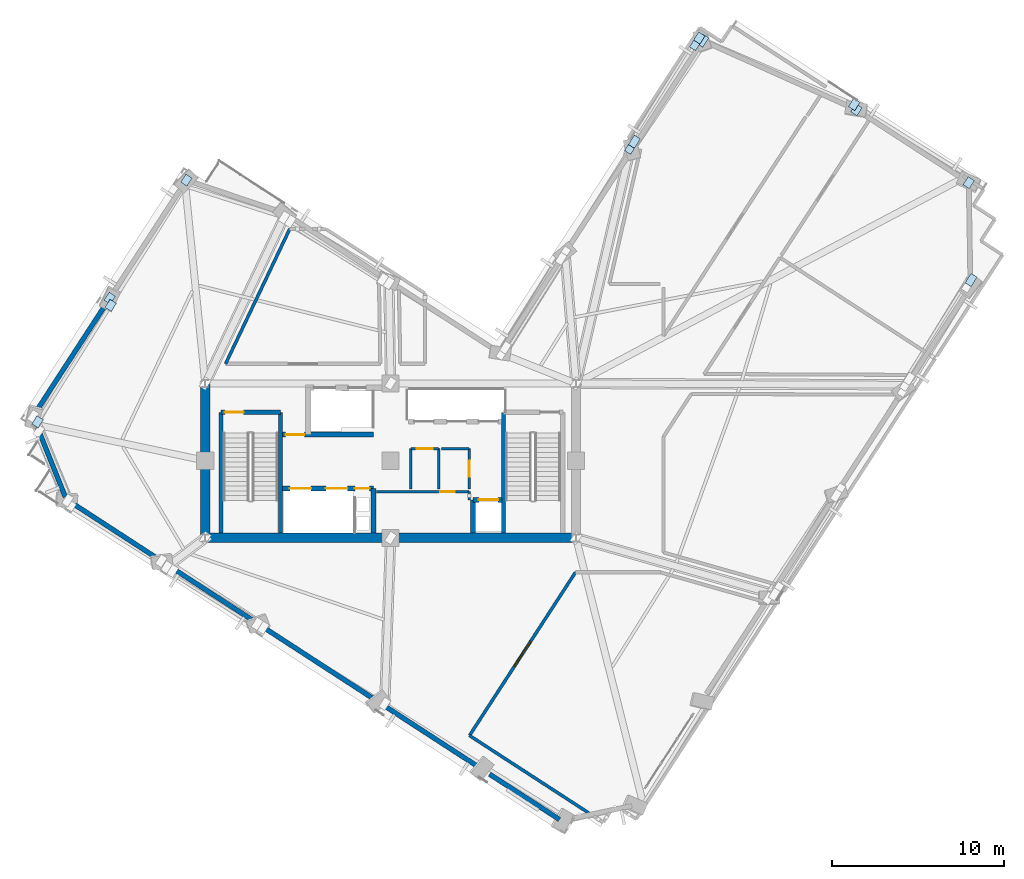
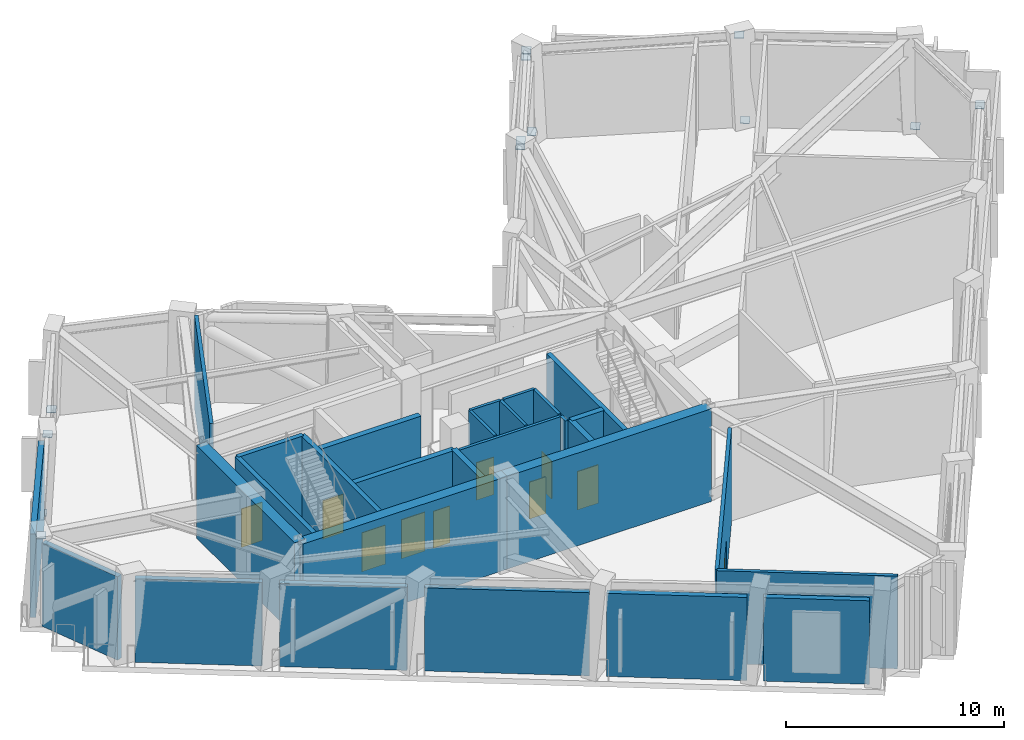
# One storey, part 4 of 11: 29 walls, 13 plates, 10 doors, 10 openings.
"""IFC4 building model written with IfcOpenShell, lengths in metres."""

from ifc_helpers import new_model, si_unit, direction, frame, frame_2d, origin, origin_2d, place, context, subcontext, project, spatial, rectangle, extrude, material, layer, layer_set, type_object, element, fill, save


model = new_model("IFC4")

# Units and contexts
model_context = context("Model", 3, precision=1e-05, world=origin(), true_north=direction((0.0, 1.0)))
body_context = subcontext(model_context, "Body", "Model", "MODEL_VIEW")
ifc_project = project(units=[si_unit("LENGTHUNIT", "METRE"), si_unit("AREAUNIT", "SQUARE_METRE"), si_unit("VOLUMEUNIT", "CUBIC_METRE"), si_unit("PLANEANGLEUNIT", "RADIAN"), si_unit("MASSUNIT", "GRAM", prefix="KILO")], contexts=[model_context])

# Site, building, storey
site_placement = place(None, origin())
site = spatial("IfcSite", under=ifc_project, at=site_placement, CompositionType="ELEMENT")
building_placement = place(site_placement, origin())
building = spatial("IfcBuilding", under=site, at=building_placement, Name="Gaonmaruhae Medical Tower", CompositionType="ELEMENT")
storey_placement = place(building_placement, frame((0.0, 0.0, 267.199951171875)))
storey = spatial("IfcBuildingStorey", under=building, at=storey_placement, Name="L64", CompositionType="ELEMENT", Elevation=267.199951171875)

# Plates
ifc_material_1 = material(Name="Steel HSA650 (650 MPa)", Category="steel")
ifc_layer_1 = layer(ifc_material_1, 0.035888671875)
ifc_layer_set_1 = layer_set([ifc_layer_1], Name="Steel HSA650 (650 MPa)")
plate_type_1 = type_object("IfcPlateType", Name="GP-01 Outrigger Gusset & End Cap Plate", PredefinedType="USERDEFINED", material=ifc_layer_set_1)
for number, where, z_axis, x_axis, name in (
    (1, (38.77734375, 30.525146484375, 4.81201171875), (0.0, 0.0, 1.0), (0.530659123936, 0.847585331506, 0.0), "L64 Gusset Cap Plate PLT-L64-OTD03B"),
    (2, (58.614501953125, 22.82470703125, 4.81201171875), (0.0, 0.0, 1.0), (0.530659123936, 0.847585331506, 0.0), "L64 Gusset Cap Plate PLT-L64-BTD02B"),
    (3, (42.9833984375, 36.7705078125, 0.33203125), (0.0, 0.0, 1.0), (0.544639035015, 0.838670567945, 0.0), "L64 Gusset Cap Plate PLT-L64-BTD03A"),
    (4, (42.560791015625, 36.568603515625, 4.81201171875), (0.0, 0.0, 1.0), (0.530659123936, 0.847585331506, 0.0), "L64 Gusset Cap Plate PLT-L64-BTC03A"),
    (5, (39.000244140625, 30.88134765625, 4.81201171875), (0.0, 0.0, 1.0), (0.530659123936, 0.847585331506, 0.0), "L64 Gusset Cap Plate PLT-L64-BTC03B"),
):
    element("IfcPlate", number, at=place(storey_placement, frame(where, z_axis=z_axis, x_axis=x_axis)), inside=storey, type_object=plate_type_1, Name=name, ObjectType="GUSSET_PLATE", PredefinedType="USERDEFINED", context=body_context, shape_type="SweptSolid", body=[
        extrude(rectangle(XDim=0.64990234375, YDim=0.419921875, at=origin_2d()), origin(), (0.0, 0.0, 1.0), 0.035888671875),
    ])
ifc_layer_2 = layer(ifc_material_1, 0.028076171875)
ifc_layer_set_2 = layer_set([ifc_layer_2], Name="Steel HSA650 (650 MPa)")
plate_type_2 = type_object("IfcPlateType", Name="GP-02 Tube Brace End Cap Gusset Plate", PredefinedType="USERDEFINED", material=ifc_layer_set_2)
for number, where, z_axis, x_axis, name in (
    (6, (58.477294921875, 28.497314453125, 0.23583984375), (0.0, 0.0, 1.0), (0.544639035015, 0.838670567945, 0.0), "L64 Gusset Cap Plate PLT-L64-PBR-E01A"),
    (7, (51.80126953125, 33.048583984375, 4.916015625), (0.0, 0.0, 1.0), (0.530659123936, 0.847585331506, 0.0), "L64 Gusset Cap Plate PLT-L64-PBR-E01B"),
    (8, (8.4375, 21.764892578125, 0.23583984375), (0.0, 0.0, 1.0), (0.544639035015, 0.838670567945, 0.0), "L64 Gusset Cap Plate PLT-L64-PBR-N02A"),
    (9, (4.237060546875, 14.564453125, 4.81005859375), (0.0, 0.0, 1.0), (0.530659123936, 0.847585331506, 0.0), "L64 Gusset Cap Plate PLT-L64-PBR-N02B"),
    (10, (51.935546875, 32.74560546875, 0.2861328125), (0.0, 0.0, 1.0), (0.544639035015, 0.838670567945, 0.0), "L64 Gusset Cap Plate PLT-L64-CST1A"),
    (11, (42.78369140625, 36.924560546875, 4.8662109375), (0.0, 0.0, 1.0), (0.530659123936, 0.847585331506, 0.0), "L64 Gusset Cap Plate PLT-L64-CST1B"),
    (12, (12.903564453125, 28.641845703125, 0.2861328125), (0.0, 0.0, 1.0), (0.544639035015, 0.838670567945, 0.0), "L64 Gusset Cap Plate PLT-L64-CST2A"),
    (13, (8.4912109375, 21.34814453125, 4.8662109375), (0.0, 0.0, 1.0), (0.530659123936, 0.847585331506, 0.0), "L64 Gusset Cap Plate PLT-L64-CST2B"),
):
    element("IfcPlate", number, at=place(storey_placement, frame(where, z_axis=z_axis, x_axis=x_axis)), inside=storey, type_object=plate_type_2, Name=name, ObjectType="GUSSET_PLATE", PredefinedType="USERDEFINED", context=body_context, shape_type="SweptSolid", body=[
        extrude(rectangle(XDim=0.56005859375, YDim=0.43994140625, at=origin_2d()), origin(), (0.0, 0.0, 1.0), 0.028076171875),
    ])

# Walls
ifc_material_2 = material(Name="Concrete C50/60", Category="concrete")
ifc_layer_3 = layer(ifc_material_2, 0.550048828125)
ifc_layer_set_3 = layer_set([ifc_layer_3], Name="Concrete C50/60")
wall_type_1 = type_object("IfcWallType", Name="CW-550 Mid-High Core Shear Wall", PredefinedType="SHEAR", material=ifc_layer_set_3)
for number, where, z_axis, x_axis, name in (
    (14, (14.0, 7.800048828125, 0.0), (0.0, 0.0, 1.0), (1.0, 0.0, 0.0), "L64 Core Shear Wall CSW-S1"),
    (15, (24.800048828125, 7.800048828125, 0.0), (0.0, 0.0, 1.0), (1.0, 0.0, 0.0), "L64 Core Shear Wall CSW-S2"),
):
    element("IfcWall", number, at=place(storey_placement, frame(where, z_axis=z_axis, x_axis=x_axis)), inside=storey, type_object=wall_type_1, Name=name, PredefinedType="SHEAR", context=body_context, shape_type="SweptSolid", body=[
        extrude(rectangle(XDim=10.800048828125, YDim=0.550048828125, at=frame_2d((5.39990234375, 0.0))), origin(), (0.0, 0.0, 1.0), 5.179931640625),
    ])
wall_1_placement = place(storey_placement, frame((14.0, 16.800048828125, 0.0), z_axis=(0.0, 0.0, 1.0), x_axis=(0.0, -1.0, 0.0)))
element("IfcWall", 16, at=wall_1_placement, inside=storey, type_object=wall_type_1, Name="L64 Core Shear Wall CSW-W1", PredefinedType="SHEAR", context=body_context, shape_type="SweptSolid", body=[
    extrude(rectangle(XDim=9.0, YDim=0.550048828125, at=frame_2d((4.5, 0.0))), origin(), (0.0, 0.0, 1.0), 5.179931640625),
])
ifc_material_3 = material(Name="Precast concrete C45/55", Category="concrete")
ifc_layer_4 = layer(ifc_material_3, 0.280029296875)
ifc_layer_set_4 = layer_set([ifc_layer_4], Name="Precast concrete C45/55")
wall_type_2 = type_object("IfcWallType", Name="EW-280 Upper Precast Masonry-Frame Facade Wall", PredefinedType="SOLIDWALL", material=ifc_layer_set_4)
wall_2_placement = place(storey_placement, frame((4.0703125, 15.0400390625, 0.0), z_axis=(0.0, 0.0, 1.0), x_axis=(0.544626002717, 0.838679031075, 0.0)))
element("IfcWall", 17, at=wall_2_placement, inside=storey, type_object=wall_type_2, Name="L64 Precast Masonry-Frame Wall N02-N03", PredefinedType="SOLIDWALL", context=body_context, shape_type="SweptSolid", body=[
    extrude(rectangle(XDim=7.48486328125, YDim=0.280029296875, at=frame_2d((3.742431640625, 0.0))), origin(), (0.0, 0.0, 1.0), 4.6650390625),
])
wall_3_placement = place(storey_placement, frame((5.8505859375, 10.185302734375, 0.0), z_axis=(0.0, 0.0, 1.0), x_axis=(-0.371085079232, 0.928598871403, 0.0)))
element("IfcWall", 18, at=wall_3_placement, inside=storey, type_object=wall_type_2, Name="L64 Precast Masonry-Frame Wall N03-W01", PredefinedType="SOLIDWALL", context=body_context, shape_type="SweptSolid", body=[
    extrude(rectangle(XDim=4.407958984375, YDim=0.280029296875, at=frame_2d((2.2041015625, 0.0))), origin(), (0.0, 0.0, 1.0), 4.6650390625),
])
wall_4_placement = place(storey_placement, frame((11.300048828125, 6.55126953125, 0.0), z_axis=(0.0, 0.0, 1.0), x_axis=(-0.838657853536, 0.544658612989, 0.0)))
element("IfcWall", 19, at=wall_4_placement, inside=storey, type_object=wall_type_2, Name="L64 Precast Masonry-Frame Wall W01-W02", PredefinedType="SOLIDWALL", context=body_context, shape_type="SweptSolid", body=[
    extrude(rectangle(XDim=5.830322265625, YDim=0.280029296875, at=frame_2d((2.9150390625, 0.0))), origin(), (0.0, 0.0, 1.0), 4.6650390625),
])
wall_5_placement = place(storey_placement, frame((16.8720703125, 2.932861328125, 0.0), z_axis=(0.0, 0.0, 1.0), x_axis=(-0.838661493187, 0.544653008663, 0.0)))
element("IfcWall", 20, at=wall_5_placement, inside=storey, type_object=wall_type_2, Name="L64 Precast Masonry-Frame Wall W02-W03", PredefinedType="SOLIDWALL", context=body_context, shape_type="SweptSolid", body=[
    extrude(rectangle(XDim=5.86083984375, YDim=0.280029296875, at=frame_2d((2.930419921875, 0.0))), origin(), (0.0, 0.0, 1.0), 4.64501953125),
])
wall_6_placement = place(storey_placement, frame((23.87744140625, -1.616455078125, 0.0), z_axis=(0.0, 0.0, 1.0), x_axis=(-0.83868337651, 0.544619311047, 0.0)))
element("IfcWall", 21, at=wall_6_placement, inside=storey, type_object=wall_type_2, Name="L64 Precast Masonry-Frame Wall W03-W04", PredefinedType="SOLIDWALL", context=body_context, shape_type="SweptSolid", body=[
    extrude(rectangle(XDim=7.558349609375, YDim=0.280029296875, at=frame_2d((3.779296875, 0.0))), origin(), (0.0, 0.0, 1.0), 4.64501953125),
])
wall_7_placement = place(storey_placement, frame((29.926513671875, -5.544677734375, 0.0), z_axis=(0.0, 0.0, 1.0), x_axis=(-0.838683140553, 0.544619674408, 0.0)))
element("IfcWall", 22, at=wall_7_placement, inside=storey, type_object=wall_type_2, Name="L64 Precast Masonry-Frame Wall W04-W05", PredefinedType="SOLIDWALL", context=body_context, shape_type="SweptSolid", body=[
    extrude(rectangle(XDim=6.425048828125, YDim=0.280029296875, at=frame_2d((3.21240234375, 0.0))), origin(), (0.0, 0.0, 1.0), 4.64501953125),
])
wall_8_placement = place(storey_placement, frame((34.636962890625, -8.603759765625, 0.0), z_axis=(0.0, 0.0, 1.0), x_axis=(-0.838681345543, 0.54462243861, 0.0)))
element("IfcWall", 23, at=wall_8_placement, inside=storey, type_object=wall_type_2, Name="L64 Precast Masonry-Frame Wall W05-W06", PredefinedType="SOLIDWALL", context=body_context, shape_type="SweptSolid", body=[
    extrude(rectangle(XDim=4.855224609375, YDim=0.280029296875, at=frame_2d((2.427734375, 0.0))), origin(), (0.0, 0.0, 1.0), 4.6650390625),
])

# Wall, opening, door
ifc_material_4 = material(Name="Gypsum board partition", Category="gypsum")
ifc_layer_5 = layer(ifc_material_4, 0.14990234375)
ifc_layer_set_5 = layer_set([ifc_layer_5], Name="Gypsum board partition")
wall_type_3 = type_object("IfcWallType", Name="PW-150 Rated Clinical Corridor Partition", PredefinedType="PARTITIONING", material=ifc_layer_set_5)
wall_9_placement = place(storey_placement, frame((23.97998046875, 10.5, 0.0), z_axis=(0.0, 0.0, 1.0), x_axis=(1.0, 0.0, 0.0)))
wall_9 = element("IfcWall", 24, at=wall_9_placement, inside=storey, type_object=wall_type_3, Name="L64 Interior Partition L64-RCL1-1", PredefinedType="PARTITIONING", context=body_context, shape_type="SweptSolid", body=[
    extrude(rectangle(XDim=5.39990234375, YDim=0.14990234375, at=frame_2d((2.699951171875, 0.0))), origin(), (0.0, 0.0, 1.0), 5.179931640625),
])
opening_1_placement = place(wall_9_placement, frame((3.702880859375, 0.0, 0.0)))
opening_1 = element("IfcOpeningElement", 25, at=opening_1_placement, cuts=wall_9, Name="Opening AD-01", PredefinedType="OPENING", context=body_context, shape_type="SweptSolid", body=[
    extrude(rectangle(XDim=0.860107421875, YDim=2.06005859375, at=frame_2d((0.43017578125, 1.030029296875))), frame((0.0, 0.0849609375, 0.0), z_axis=(0.0, -1.0, 0.0), x_axis=(1.0, 0.0, 0.0)), (0.0, 0.0, 1.0), 0.169921875),
])
ifc_material_5 = material(Name="Powder-coated steel access door", Category="steel")
door_type_1 = type_object("IfcDoorType", Name="AD-01 Riser & Closet Access Fire Door 860x2060", OperationType="NOTDEFINED", PredefinedType="DOOR", material=ifc_material_5)
door_1_placement = place(opening_1_placement, origin())
door_1 = element("IfcDoor", 26, at=door_1_placement, inside=storey, type_object=door_type_1, Name="L64 Biomedical Infusion Preparation Room Sliding Door", OperationType="SLIDING_TO_LEFT", OverallHeight=2.06005859375, OverallWidth=0.860107421875, PredefinedType="DOOR", context=body_context, shape_type="SweptSolid", body=[
    extrude(rectangle(XDim=0.860107421875, YDim=2.06005859375, at=frame_2d((0.43017578125, 1.030029296875))), frame((0.0, 0.02490234375, 0.0), z_axis=(0.0, -1.0, 0.0), x_axis=(1.0, 0.0, 0.0)), (0.0, 0.0, 1.0), 0.050048828125),
])
fill(opening_1, door_1)

# Walls
wall_10_placement = place(storey_placement, frame((29.3798828125, 10.5, 0.0), z_axis=(0.0, 0.0, 1.0), x_axis=(0.0, -1.0, 0.0)))
element("IfcWall", 27, at=wall_10_placement, inside=storey, type_object=wall_type_3, Name="L64 Interior Partition L64-RCL1-2", PredefinedType="PARTITIONING", context=body_context, shape_type="SweptSolid", body=[
    extrude(rectangle(XDim=0.47998046875, YDim=0.14990234375, at=frame_2d((0.239990234375, 0.0))), origin(), (0.0, 0.0, 1.0), 5.179931640625),
])
wall_11_placement = place(storey_placement, frame((25.97998046875, 10.659912109375, 0.0), z_axis=(0.0, 0.0, 1.0), x_axis=(0.0, 1.0, 0.0)))
element("IfcWall", 28, at=wall_11_placement, inside=storey, type_object=wall_type_3, Name="L64 Interior Partition L64-CS1-3", PredefinedType="PARTITIONING", context=body_context, shape_type="SweptSolid", body=[
    extrude(rectangle(XDim=2.340087890625, YDim=0.14990234375, at=frame_2d((1.169921875, 0.0))), origin(), (0.0, 0.0, 1.0), 5.179931640625),
])

# Wall, opening, door
wall_12_placement = place(storey_placement, frame((25.97998046875, 13.0, 0.0), z_axis=(0.0, 0.0, 1.0), x_axis=(1.0, 0.0, 0.0)))
wall_12 = element("IfcWall", 29, at=wall_12_placement, inside=storey, type_object=wall_type_3, Name="L64 Interior Partition L64-CS1-4", PredefinedType="PARTITIONING", context=body_context, shape_type="SweptSolid", body=[
    extrude(rectangle(XDim=1.6201171875, YDim=0.14990234375, at=frame_2d((0.81005859375, 0.0))), origin(), (0.0, 0.0, 1.0), 5.179931640625),
])
opening_2_placement = place(wall_12_placement, frame((0.35009765625, 0.0, 0.0)))
opening_2 = element("IfcOpeningElement", 30, at=opening_2_placement, cuts=wall_12, Name="Opening UD-01", PredefinedType="OPENING", context=body_context, shape_type="SweptSolid", body=[
    extrude(rectangle(XDim=0.919921875, YDim=2.10009765625, at=frame_2d((0.4599609375, 1.050048828125))), frame((0.0, 0.0849609375, 0.0), z_axis=(0.0, -1.0, 0.0), x_axis=(1.0, 0.0, 0.0)), (0.0, 0.0, 1.0), 0.169921875),
])
ifc_material_6 = material(Name="Powder-coated steel utility door", Category="steel")
door_type_2 = type_object("IfcDoorType", Name="UD-01 Toilet, Utility & Housekeeping Door 920x2100", OperationType="NOTDEFINED", PredefinedType="DOOR", material=ifc_material_6)
door_2_placement = place(opening_2_placement, origin())
door_2 = element("IfcDoor", 31, at=door_2_placement, inside=storey, type_object=door_type_2, Name="L64 Accessible Staff Toilet Door", OperationType="SINGLE_SWING_RIGHT", OverallHeight=2.10009765625, OverallWidth=0.919921875, PredefinedType="DOOR", context=body_context, shape_type="SweptSolid", body=[
    extrude(rectangle(XDim=0.919921875, YDim=2.10009765625, at=frame_2d((0.4599609375, 1.050048828125))), frame((0.0, 0.02490234375, 0.0), z_axis=(0.0, -1.0, 0.0), x_axis=(1.0, 0.0, 0.0)), (0.0, 0.0, 1.0), 0.050048828125),
])
fill(opening_2, door_2)

# Walls
wall_13_placement = place(storey_placement, frame((27.60009765625, 13.0, 0.0), z_axis=(0.0, 0.0, 1.0), x_axis=(0.0, -1.0, 0.0)))
element("IfcWall", 32, at=wall_13_placement, inside=storey, type_object=wall_type_3, Name="L64 Interior Partition L64-CS1-5", PredefinedType="PARTITIONING", context=body_context, shape_type="SweptSolid", body=[
    extrude(rectangle(XDim=2.340087890625, YDim=0.14990234375, at=frame_2d((1.169921875, 0.0))), origin(), (0.0, 0.0, 1.0), 5.179931640625),
])
wall_14_placement = place(storey_placement, frame((27.760009765625, 13.0, 0.0), z_axis=(0.0, 0.0, 1.0), x_axis=(1.0, 0.0, 0.0)))
element("IfcWall", 33, at=wall_14_placement, inside=storey, type_object=wall_type_3, Name="L64 Interior Partition L64-CS2-6", PredefinedType="PARTITIONING", context=body_context, shape_type="SweptSolid", body=[
    extrude(rectangle(XDim=1.619873046875, YDim=0.14990234375, at=frame_2d((0.81005859375, 0.0))), origin(), (0.0, 0.0, 1.0), 5.179931640625),
])

# Wall, opening, door
wall_15_placement = place(storey_placement, frame((29.3798828125, 13.0, 0.0), z_axis=(0.0, 0.0, 1.0), x_axis=(0.0, -1.0, 0.0)))
wall_15 = element("IfcWall", 34, at=wall_15_placement, inside=storey, type_object=wall_type_3, Name="L64 Interior Partition L64-CS2-7", PredefinedType="PARTITIONING", context=body_context, shape_type="SweptSolid", body=[
    extrude(rectangle(XDim=2.340087890625, YDim=0.14990234375, at=frame_2d((1.169921875, 0.0))), origin(), (0.0, 0.0, 1.0), 5.179931640625),
])
opening_3_placement = place(wall_15_placement, frame((0.7099609375, 0.0, 0.0)))
opening_3 = element("IfcOpeningElement", 35, at=opening_3_placement, cuts=wall_15, Name="Opening UD-01", PredefinedType="OPENING", context=body_context, shape_type="SweptSolid", body=[
    extrude(rectangle(XDim=0.919921875, YDim=2.10009765625, at=frame_2d((0.4599609375, 1.050048828125))), frame((0.0, 0.0849609375, 0.0), z_axis=(0.0, -1.0, 0.0), x_axis=(1.0, 0.0, 0.0)), (0.0, 0.0, 1.0), 0.169921875),
])
door_3_placement = place(opening_3_placement, origin())
door_3 = element("IfcDoor", 36, at=door_3_placement, inside=storey, type_object=door_type_2, Name="L64 Biomedical Telemetry Closet Door", OperationType="SINGLE_SWING_LEFT", OverallHeight=2.10009765625, OverallWidth=0.919921875, PredefinedType="DOOR", context=body_context, shape_type="SweptSolid", body=[
    extrude(rectangle(XDim=0.919921875, YDim=2.10009765625, at=frame_2d((0.4599609375, 1.050048828125))), frame((0.0, 0.02490234375, 0.0), z_axis=(0.0, -1.0, 0.0), x_axis=(1.0, 0.0, 0.0)), (0.0, 0.0, 1.0), 0.050048828125),
])
fill(opening_3, door_3)

# Wall
ifc_layer_6 = layer(ifc_material_4, 0.179931640625)
ifc_layer_set_6 = layer_set([ifc_layer_6], Name="Gypsum board partition")
wall_type_4 = type_object("IfcWallType", Name="PW-180 Refuge & Plant Acoustic Fire Partition", PredefinedType="PARTITIONING", material=ifc_layer_set_6)
wall_16_placement = place(storey_placement, frame((15.18896484375, 17.949951171875, 0.0), z_axis=(0.0, 0.0, 1.0), x_axis=(0.429557434818, 0.903039539662, 0.0)))
element("IfcWall", 37, at=wall_16_placement, inside=storey, type_object=wall_type_4, Name="L64 Interior Partition L64-REF1-12", PredefinedType="PARTITIONING", context=body_context, shape_type="SweptSolid", body=[
    extrude(rectangle(XDim=8.69287109375, YDim=0.179931640625, at=frame_2d((4.346435546875, 0.0))), origin(), (0.0, 0.0, 1.0), 5.179931640625),
])

# Wall, opening, door
wall_17_placement = place(storey_placement, frame((29.39501953125, -3.708984375, 0.0), z_axis=(0.0, 0.0, 1.0), x_axis=(0.544627276839, 0.838678203677, 0.0)))
wall_17 = element("IfcWall", 38, at=wall_17_placement, inside=storey, type_object=wall_type_4, Name="L64 Interior Partition L64-CHILB-27", PredefinedType="PARTITIONING", context=body_context, shape_type="SweptSolid", body=[
    extrude(rectangle(XDim=11.338134765625, YDim=0.179931640625, at=frame_2d((5.6689453125, 0.0))), origin(), (0.0, 0.0, 1.0), 5.179931640625),
])
opening_4_placement = place(wall_17_placement, frame((4.7939453125, 0.0, 0.0)))
opening_4 = element("IfcOpeningElement", 39, at=opening_4_placement, cuts=wall_17, Name="Opening PD-01", PredefinedType="OPENING", context=body_context, shape_type="SweptSolid", body=[
    extrude(rectangle(XDim=1.75, YDim=2.199951171875, at=frame_2d((0.875, 1.10009765625))), frame((0.0, 0.10009765625, 0.0), z_axis=(0.0, -1.0, 0.0), x_axis=(1.0, 0.0, 0.0)), (0.0, 0.0, 1.0), 0.199951171875),
])
ifc_material_7 = material(Name="Acoustic galvanised steel plant door", Category="steel")
door_type_3 = type_object("IfcDoorType", Name="PD-01 Mechanical Plant Double Equipment Door 1750x2200", OperationType="NOTDEFINED", PredefinedType="DOOR", material=ifc_material_7)
door_4_placement = place(opening_4_placement, origin())
door_4 = element("IfcDoor", 40, at=door_4_placement, inside=storey, type_object=door_type_3, Name="L64 Zone Chiller and Heat Exchanger Plant Room Annex Door", OperationType="DOUBLE_DOOR_SINGLE_SWING", OverallHeight=2.199951171875, OverallWidth=1.75, PredefinedType="DOOR", context=body_context, shape_type="SweptSolid", body=[
    extrude(rectangle(XDim=1.75, YDim=2.199951171875, at=frame_2d((0.875, 1.10009765625))), frame((0.0, 0.02490234375, 0.0), z_axis=(0.0, -1.0, 0.0), x_axis=(1.0, 0.0, 0.0)), (0.0, 0.0, 1.0), 0.050048828125),
])
fill(opening_4, door_4)

# Wall
wall_18_placement = place(storey_placement, frame((36.344970703125, -8.221923828125, 0.0), z_axis=(0.0, 0.0, 1.0), x_axis=(-0.83869325582, 0.544604097159, 0.0)))
element("IfcWall", 41, at=wall_18_placement, inside=storey, type_object=wall_type_4, Name="L64 Interior Partition L64-CHILB-34", PredefinedType="PARTITIONING", context=body_context, shape_type="SweptSolid", body=[
    extrude(rectangle(XDim=8.28662109375, YDim=0.179931640625, at=frame_2d((4.143310546875, 0.0))), origin(), (0.0, 0.0, 1.0), 5.179931640625),
])

# Wall, opening, door
ifc_layer_7 = layer(ifc_material_2, 0.239990234375)
ifc_layer_set_7 = layer_set([ifc_layer_7], Name="Concrete C50/60")
wall_type_5 = type_object("IfcWallType", Name="SW-240 Dogleg Stair Tight Shaft Wall", PredefinedType="SOLIDWALL", material=ifc_layer_set_7)
wall_19_placement = place(storey_placement, frame((14.919921875, 15.1201171875, 0.0), z_axis=(0.0, 0.0, 1.0), x_axis=(1.0, 0.0, 0.0)))
wall_19 = element("IfcWall", 42, at=wall_19_placement, inside=storey, type_object=wall_type_5, Name="L64 ST-01 Stair Shaft Wall SHW-ST-01-N", PredefinedType="SOLIDWALL", context=body_context, shape_type="SweptSolid", body=[
    extrude(rectangle(XDim=3.4599609375, YDim=0.239990234375, at=frame_2d((1.72998046875, 0.0))), origin(), (0.0, 0.0, 1.0), 5.179931640625),
])
opening_5_placement = place(wall_19_placement, frame((0.219970703125, 0.0, 0.0)))
opening_5 = element("IfcOpeningElement", 43, at=opening_5_placement, cuts=wall_19, Name="Opening FD-01", PredefinedType="OPENING", context=body_context, shape_type="SweptSolid", body=[
    extrude(rectangle(XDim=1.10009765625, YDim=2.14990234375, at=frame_2d((0.550048828125, 1.074951171875))), frame((0.0, 0.1298828125, 0.0), z_axis=(0.0, -1.0, 0.0), x_axis=(1.0, 0.0, 0.0)), (0.0, 0.0, 1.0), 0.260009765625),
])
ifc_material_8 = material(Name="Powder-coated steel fire door", Category="steel")
door_type_4 = type_object("IfcDoorType", Name="FD-01 Escape Stair Protected Fire Door 1100x2150", OperationType="NOTDEFINED", PredefinedType="DOOR", material=ifc_material_8)
door_5_placement = place(opening_5_placement, origin())
door_5 = element("IfcDoor", 44, at=door_5_placement, inside=storey, type_object=door_type_4, Name="L64 ST-01 Protected Escape Stair Door", OperationType="SINGLE_SWING_LEFT", OverallHeight=2.14990234375, OverallWidth=1.10009765625, PredefinedType="DOOR", context=body_context, shape_type="SweptSolid", body=[
    extrude(rectangle(XDim=1.10009765625, YDim=2.14990234375, at=frame_2d((0.550048828125, 1.074951171875))), frame((0.0, 0.02490234375, 0.0), z_axis=(0.0, -1.0, 0.0), x_axis=(1.0, 0.0, 0.0)), (0.0, 0.0, 1.0), 0.050048828125),
])
fill(opening_5, door_5)

# Walls
for number, where, z_axis, x_axis, name in (
    (45, (18.3798828125, 15.1201171875, 0.0), (0.0, 0.0, 1.0), (0.0, -1.0, 0.0), "L64 ST-01 Stair Shaft Wall SHW-ST-01-E"),
    (46, (14.919921875, 8.074951171875, 0.0), (0.0, 0.0, 1.0), (0.0, 1.0, 0.0), "L64 ST-01 Stair Shaft Wall SHW-ST-01-W"),
    (47, (31.3701171875, 8.074951171875, 0.0), (0.0, 0.0, 1.0), (0.0, 1.0, 0.0), "L64 ST-02 Stair Shaft Wall SHW-ST-02-W"),
):
    element("IfcWall", number, at=place(storey_placement, frame(where, z_axis=z_axis, x_axis=x_axis)), inside=storey, type_object=wall_type_5, Name=name, PredefinedType="SOLIDWALL", context=body_context, shape_type="SweptSolid", body=[
        extrude(rectangle(XDim=7.045166015625, YDim=0.239990234375, at=frame_2d((3.5224609375, 0.0))), origin(), (0.0, 0.0, 1.0), 5.179931640625),
    ])

# Wall, openings, doors
ifc_layer_8 = layer(ifc_material_2, 0.300048828125)
ifc_layer_set_8 = layer_set([ifc_layer_8], Name="Concrete C50/60")
wall_type_6 = type_object("IfcWallType", Name="SW-300 Stair & Lift Hoistway Shaft Wall", PredefinedType="SOLIDWALL", material=ifc_layer_set_8)
wall_20_placement = place(storey_placement, frame((18.5, 10.679931640625, 0.0), z_axis=(0.0, 0.0, 1.0), x_axis=(1.0, 0.0, 0.0)))
wall_20 = element("IfcWall", 48, at=wall_20_placement, inside=storey, type_object=wall_type_6, Name="L64 Shaft Enclosure Wall SHW-FFN", PredefinedType="SOLIDWALL", context=body_context, shape_type="SweptSolid", body=[
    extrude(rectangle(XDim=5.300048828125, YDim=0.300048828125, at=frame_2d((2.64990234375, 0.0))), origin(), (0.0, 0.0, 1.0), 5.179931640625),
])
opening_6_placement = place(wall_20_placement, frame((4.219970703125, 0.0, 0.0)))
opening_6 = element("IfcOpeningElement", 49, at=opening_6_placement, cuts=wall_20, Name="Opening AD-01", PredefinedType="OPENING", context=body_context, shape_type="SweptSolid", body=[
    extrude(rectangle(XDim=0.860107421875, YDim=2.06005859375, at=frame_2d((0.43017578125, 1.030029296875))), frame((0.0, 0.16015625, 0.0), z_axis=(0.0, -1.0, 0.0), x_axis=(1.0, 0.0, 0.0)), (0.0, 0.0, 1.0), 0.320068359375),
])
opening_7_placement = place(wall_20_placement, frame((0.425048828125, 0.0, 0.0)))
opening_7 = element("IfcOpeningElement", 50, at=opening_7_placement, cuts=wall_20, Name="Opening LD-F1", PredefinedType="OPENING", context=body_context, shape_type="SweptSolid", body=[
    extrude(rectangle(XDim=1.25, YDim=2.179931640625, at=frame_2d((0.625, 1.08984375))), frame((0.0, 0.16015625, 0.0), z_axis=(0.0, -1.0, 0.0), x_axis=(1.0, 0.0, 0.0)), (0.0, 0.0, 1.0), 0.320068359375),
])
opening_8_placement = place(wall_20_placement, frame((2.52490234375, 0.0, 0.0)))
opening_8 = element("IfcOpeningElement", 51, at=opening_8_placement, cuts=wall_20, Name="Opening LD-F1", PredefinedType="OPENING", context=body_context, shape_type="SweptSolid", body=[
    extrude(rectangle(XDim=1.25, YDim=2.179931640625, at=frame_2d((0.625, 1.08984375))), frame((0.0, 0.16015625, 0.0), z_axis=(0.0, -1.0, 0.0), x_axis=(1.0, 0.0, 0.0)), (0.0, 0.0, 1.0), 0.320068359375),
])
door_6_placement = place(opening_6_placement, origin())
door_6 = element("IfcDoor", 52, at=door_6_placement, inside=storey, type_object=door_type_1, Name="L64 Medical Gas and MEP Riser Access Door", OperationType="SINGLE_SWING_RIGHT", OverallHeight=2.06005859375, OverallWidth=0.860107421875, PredefinedType="DOOR", context=body_context, shape_type="SweptSolid", body=[
    extrude(rectangle(XDim=0.860107421875, YDim=2.06005859375, at=frame_2d((0.43017578125, 1.030029296875))), frame((0.0, 0.02490234375, 0.0), z_axis=(0.0, -1.0, 0.0), x_axis=(1.0, 0.0, 0.0)), (0.0, 0.0, 1.0), 0.050048828125),
])
fill(opening_6, door_6)
ifc_material_9 = material(Name="Brushed stainless steel 316L landing door", Category="steel")
door_type_5 = type_object("IfcDoorType", Name="LD-F1 Firefighting & Bed Lift Sliding Landing Door 1250x2180", OperationType="NOTDEFINED", PredefinedType="DOOR", material=ifc_material_9)
door_7_placement = place(opening_7_placement, origin())
door_7 = element("IfcDoor", 53, at=door_7_placement, inside=storey, type_object=door_type_5, Name="L64 Firefighting Lift Landing Door FFL-01", OperationType="DOUBLE_DOOR_SLIDING", OverallHeight=2.179931640625, OverallWidth=1.25, PredefinedType="DOOR", context=body_context, shape_type="SweptSolid", body=[
    extrude(rectangle(XDim=1.25, YDim=2.179931640625, at=frame_2d((0.625, 1.08984375))), frame((0.0, 0.02490234375, 0.0), z_axis=(0.0, -1.0, 0.0), x_axis=(1.0, 0.0, 0.0)), (0.0, 0.0, 1.0), 0.050048828125),
])
fill(opening_7, door_7)
door_8_placement = place(opening_8_placement, origin())
door_8 = element("IfcDoor", 54, at=door_8_placement, inside=storey, type_object=door_type_5, Name="L64 Firefighting Lift Landing Door FFL-02", OperationType="DOUBLE_DOOR_SLIDING", OverallHeight=2.179931640625, OverallWidth=1.25, PredefinedType="DOOR", context=body_context, shape_type="SweptSolid", body=[
    extrude(rectangle(XDim=1.25, YDim=2.179931640625, at=frame_2d((0.625, 1.08984375))), frame((0.0, 0.02490234375, 0.0), z_axis=(0.0, -1.0, 0.0), x_axis=(1.0, 0.0, 0.0)), (0.0, 0.0, 1.0), 0.050048828125),
])
fill(opening_8, door_8)

# Wall, opening, door
wall_21_placement = place(storey_placement, frame((18.5, 13.820068359375, 0.0), z_axis=(0.0, 0.0, 1.0), x_axis=(1.0, 0.0, 0.0)))
wall_21 = element("IfcWall", 55, at=wall_21_placement, inside=storey, type_object=wall_type_6, Name="L64 Shaft Enclosure Wall SHW-FFL", PredefinedType="SOLIDWALL", context=body_context, shape_type="SweptSolid", body=[
    extrude(rectangle(XDim=5.300048828125, YDim=0.300048828125, at=frame_2d((2.64990234375, 0.0))), origin(), (0.0, 0.0, 1.0), 5.179931640625),
])
opening_9_placement = place(wall_21_placement, frame((0.179931640625, 0.0, 0.0)))
opening_9 = element("IfcOpeningElement", 56, at=opening_9_placement, cuts=wall_21, Name="Opening FD-01", PredefinedType="OPENING", context=body_context, shape_type="SweptSolid", body=[
    extrude(rectangle(XDim=1.10009765625, YDim=2.14990234375, at=frame_2d((0.550048828125, 1.074951171875))), frame((0.0, 0.16015625, 0.0), z_axis=(0.0, -1.0, 0.0), x_axis=(1.0, 0.0, 0.0)), (0.0, 0.0, 1.0), 0.320068359375),
])
door_9_placement = place(opening_9_placement, origin())
door_9 = element("IfcDoor", 57, at=door_9_placement, inside=storey, type_object=door_type_4, Name="L64 Firefighting Lobby Smoke Door", OperationType="SINGLE_SWING_LEFT", OverallHeight=2.14990234375, OverallWidth=1.10009765625, PredefinedType="DOOR", context=body_context, shape_type="SweptSolid", body=[
    extrude(rectangle(XDim=1.10009765625, YDim=2.14990234375, at=frame_2d((0.550048828125, 1.074951171875))), frame((0.0, 0.02490234375, 0.0), z_axis=(0.0, -1.0, 0.0), x_axis=(1.0, 0.0, 0.0)), (0.0, 0.0, 1.0), 0.050048828125),
])
fill(opening_9, door_9)

# Wall
wall_22_placement = place(storey_placement, frame((23.800048828125, 8.074951171875, 0.0), z_axis=(0.0, 0.0, 1.0), x_axis=(0.0, 1.0, 0.0)))
element("IfcWall", 58, at=wall_22_placement, inside=storey, type_object=wall_type_6, Name="L64 Shaft Enclosure Wall SHW-FFE", PredefinedType="SOLIDWALL", context=body_context, shape_type="SweptSolid", body=[
    extrude(rectangle(XDim=2.60498046875, YDim=0.300048828125, at=frame_2d((1.302490234375, 0.0))), origin(), (0.0, 0.0, 1.0), 5.179931640625),
])

# Wall, opening, door
wall_23_placement = place(storey_placement, frame((29.60009765625, 10.02001953125, 0.0), z_axis=(0.0, 0.0, 1.0), x_axis=(1.0, 0.0, 0.0)))
wall_23 = element("IfcWall", 59, at=wall_23_placement, inside=storey, type_object=wall_type_6, Name="L64 Shaft Enclosure Wall SHW-PLS", PredefinedType="SOLIDWALL", context=body_context, shape_type="SweptSolid", body=[
    extrude(rectangle(XDim=1.699951171875, YDim=0.300048828125, at=frame_2d((0.85009765625, 0.0))), origin(), (0.0, 0.0, 1.0), 5.179931640625),
])
opening_10_placement = place(wall_23_placement, frame((0.340087890625, 0.0, 0.0)))
opening_10 = element("IfcOpeningElement", 60, at=opening_10_placement, cuts=wall_23, Name="Opening LD-P1", PredefinedType="OPENING", context=body_context, shape_type="SweptSolid", body=[
    extrude(rectangle(XDim=1.1201171875, YDim=2.14990234375, at=frame_2d((0.56005859375, 1.074951171875))), frame((0.0, 0.16015625, 0.0), z_axis=(0.0, -1.0, 0.0), x_axis=(1.0, 0.0, 0.0)), (0.0, 0.0, 1.0), 0.320068359375),
])
ifc_material_10 = material(Name="Brushed stainless steel 304 landing door", Category="steel")
door_type_6 = type_object("IfcDoorType", Name="LD-P1 Passenger Lift Sliding Landing Door 1120x2150", OperationType="NOTDEFINED", PredefinedType="DOOR", material=ifc_material_10)
door_10_placement = place(opening_10_placement, origin())
door_10 = element("IfcDoor", 61, at=door_10_placement, inside=storey, type_object=door_type_6, Name="L64 Passenger Lift Landing Door PL-H1", OperationType="DOUBLE_DOOR_SLIDING", OverallHeight=2.14990234375, OverallWidth=1.1201171875, PredefinedType="DOOR", context=body_context, shape_type="SweptSolid", body=[
    extrude(rectangle(XDim=1.1201171875, YDim=2.14990234375, at=frame_2d((0.56005859375, 1.074951171875))), frame((0.0, 0.02490234375, 0.0), z_axis=(0.0, -1.0, 0.0), x_axis=(1.0, 0.0, 0.0)), (0.0, 0.0, 1.0), 0.050048828125),
])
fill(opening_10, door_10)

# Wall
wall_24_placement = place(storey_placement, frame((29.60009765625, 8.074951171875, 0.0), z_axis=(0.0, 0.0, 1.0), x_axis=(0.0, 1.0, 0.0)))
element("IfcWall", 62, at=wall_24_placement, inside=storey, type_object=wall_type_6, Name="L64 Shaft Enclosure Wall SHW-PLD1", PredefinedType="SOLIDWALL", context=body_context, shape_type="SweptSolid", body=[
    extrude(rectangle(XDim=1.945068359375, YDim=0.300048828125, at=frame_2d((0.97265625, 0.0))), origin(), (0.0, 0.0, 1.0), 5.179931640625),
])

save(model, "model.ifc")
